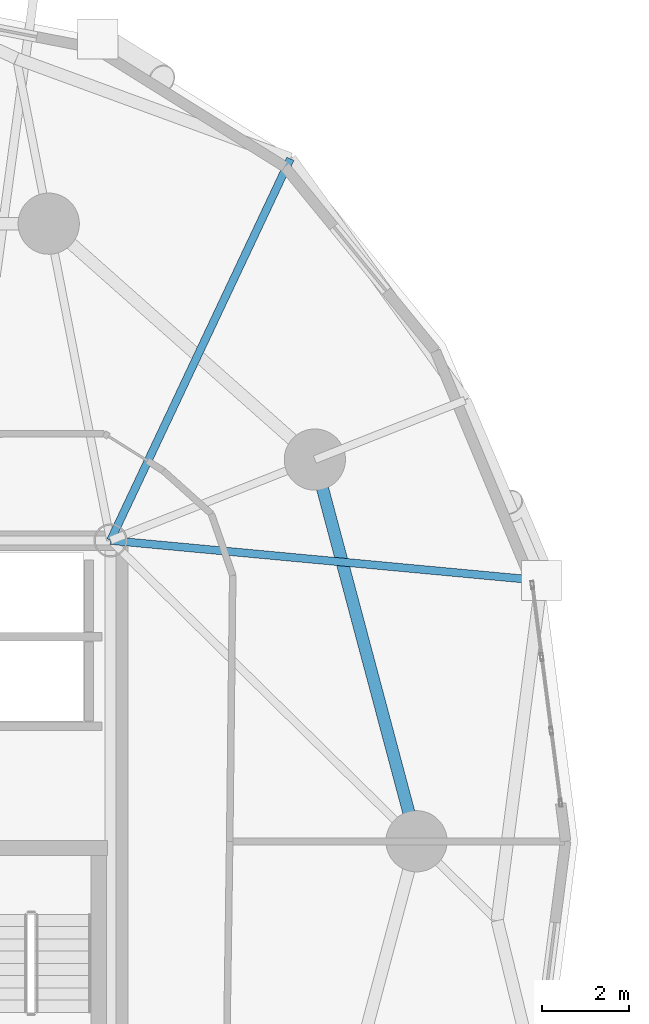
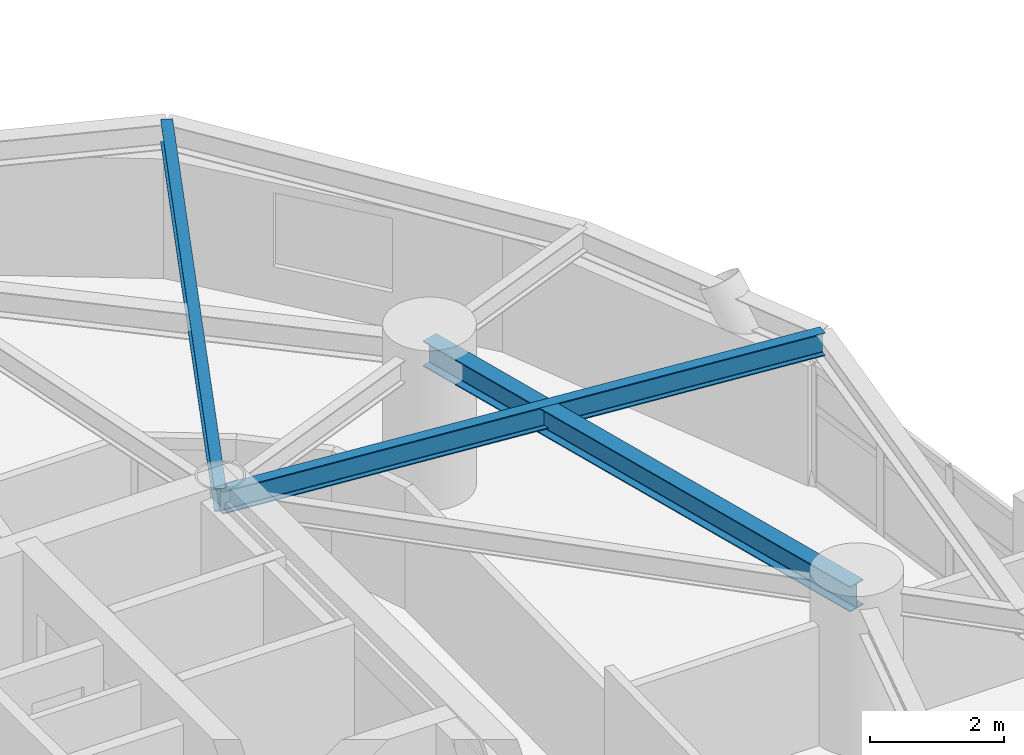
# One storey, part 3 of 18: 3 beams.
"""IFC4 building model written with IfcOpenShell, lengths in metres."""

from ifc_helpers import new_model, si_unit, direction, frame, origin, origin_2d, place, context, subcontext, project, spatial, i_section, extrude, material, material_profile, profile_set, type_object, element, save


model = new_model("IFC4")

# Units and contexts
model_context = context("Model", 3, precision=1e-05, world=origin(), true_north=direction((0.0, 1.0)))
body_context = subcontext(model_context, "Body", "Model", "MODEL_VIEW")
ifc_project = project(units=[si_unit("LENGTHUNIT", "METRE"), si_unit("AREAUNIT", "SQUARE_METRE"), si_unit("VOLUMEUNIT", "CUBIC_METRE"), si_unit("PLANEANGLEUNIT", "RADIAN"), si_unit("MASSUNIT", "GRAM", prefix="KILO")], contexts=[model_context])

# Site, building, storey
site_placement = place(None, origin())
site = spatial("IfcSite", under=ifc_project, at=site_placement, CompositionType="ELEMENT")
building_placement = place(site_placement, origin())
building = spatial("IfcBuilding", under=site, at=building_placement, Name="Cununo Teusaquillo Station Towers", CompositionType="ELEMENT")
storey_placement = place(building_placement, frame((0.0, 0.0, 75.969970703125)))
storey = spatial("IfcBuildingStorey", under=building, at=storey_placement, Name="L23", CompositionType="ELEMENT", Elevation=75.969970703125)

# Beams
ifc_material_1 = material(Name="Steel ASTM A572 Grade 50", Category="steel")
ifc_material_profile_1 = material_profile(ifc_material_1, i_section(OverallWidth=0.180908203125, OverallDepth=0.4169921875, WebThickness=0.010986328125, FlangeThickness=0.018310546875, FilletRadius=0.012939453125, at=origin_2d()), Name="W16X57")
ifc_profile_set_1 = profile_set([ifc_material_profile_1], Name="Steel ASTM A572 Grade 50")
beam_type_1 = type_object("IfcBeamType", Name="BM-JOIST-1", PredefinedType="JOIST", material=ifc_profile_set_1)
beam_1_placement = place(storey_placement, frame((21.675048828125, 31.3798828125, 2.46142578125), z_axis=(0.995678537907, -0.09286683558, 0.0), x_axis=(0.09286683558, 0.995678537907, 0.0)))
element("IfcBeam", 1, at=beam_1_placement, inside=storey, type_object=beam_type_1, Name="L23 Tower A Radial Spandrel Joist V01", PredefinedType="JOIST", context=body_context, shape_type="SweptSolid", body=[
    extrude(i_section(OverallWidth=0.180908203125, OverallDepth=0.4169921875, WebThickness=0.010986328125, FlangeThickness=0.018310546875, FilletRadius=0.012939453125, at=origin_2d()), origin(), (0.0, 0.0, 1.0), 9.895263671875),
])
beam_2_placement = place(storey_placement, frame((21.675048828125, 31.3798828125, 2.46142578125), z_axis=(0.426319838016, 0.904572493344, 0.0), x_axis=(-0.904572493344, 0.426319838016, 0.0)))
element("IfcBeam", 2, at=beam_2_placement, inside=storey, type_object=beam_type_1, Name="L23 Tower A Radial Spandrel Joist V03", PredefinedType="JOIST", context=body_context, shape_type="SweptSolid", body=[
    extrude(i_section(OverallWidth=0.180908203125, OverallDepth=0.4169921875, WebThickness=0.010986328125, FlangeThickness=0.018310546875, FilletRadius=0.012939453125, at=origin_2d()), origin(), (0.0, 0.0, 1.0), 9.646728515625),
])
ifc_material_2 = material(Name="Steel ASTM A572 Grade 50", Category="steel")
ifc_material_profile_2 = material_profile(ifc_material_2, i_section(OverallWidth=0.280029296875, OverallDepth=0.462890625, WebThickness=0.0107421875, FlangeThickness=0.017333984375, FilletRadius=0.013916015625, at=origin_2d()), Name="W18X76")
ifc_profile_set_2 = profile_set([ifc_material_profile_2], Name="Steel ASTM A572 Grade 50")
beam_type_2 = type_object("IfcBeamType", Name="BM-RING-Z2", PredefinedType="SPANDREL", material=ifc_profile_set_2)
beam_3_placement = place(storey_placement, frame((28.672119140625, 24.5, 2.4384765625), z_axis=(-0.257363196347, 0.966314744359, 0.0), x_axis=(-0.966314744359, -0.257363196347, 0.0)))
element("IfcBeam", 3, at=beam_3_placement, inside=storey, type_object=beam_type_2, Name="L23 Tower A Structural Column Ring Girder 01", PredefinedType="SPANDREL", context=body_context, shape_type="SweptSolid", body=[
    extrude(i_section(OverallWidth=0.280029296875, OverallDepth=0.462890625, WebThickness=0.0107421875, FlangeThickness=0.017333984375, FilletRadius=0.013916015625, at=origin_2d()), origin(), (0.0, 0.0, 1.0), 9.03271484375),
])

save(model, "model.ifc")
